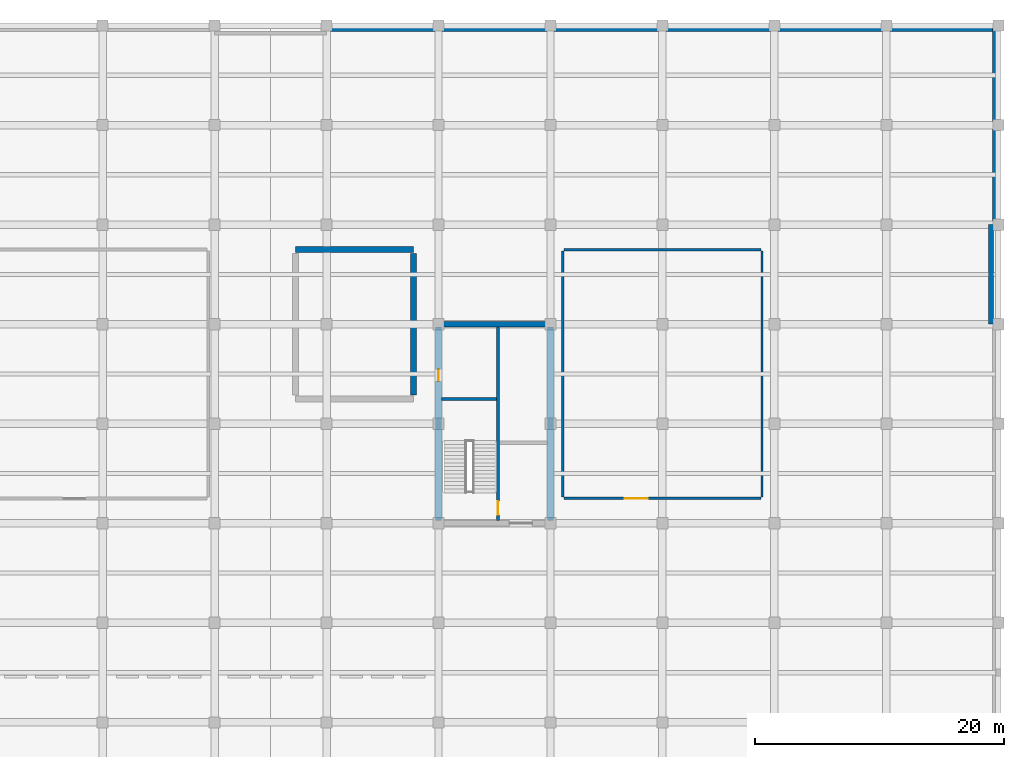
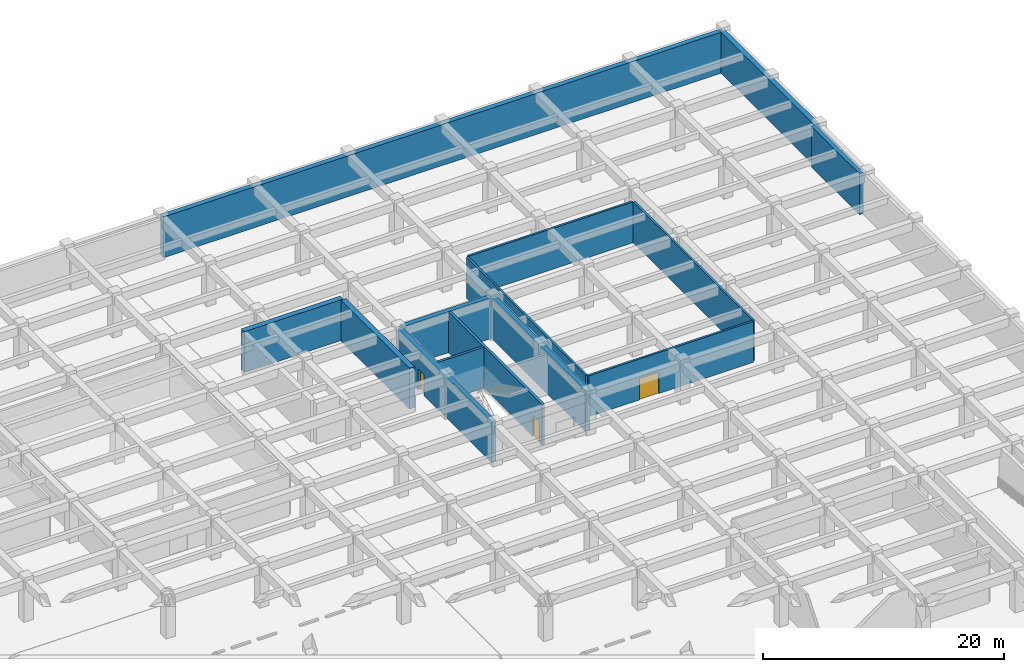
# One storey, part 18 of 26: 14 walls, 3 doors, 3 openings.
"""IFC4 building model written with IfcOpenShell, lengths in metres."""

from ifc_helpers import new_model, si_unit, direction, frame, frame_2d, origin, place, context, subcontext, project, spatial, rectangle, extrude, material, layer, layer_set, type_object, element, fill, save


model = new_model("IFC4")

# Units and contexts
model_context = context("Model", 3, precision=1e-05, world=origin(), true_north=direction((0.0, 1.0)))
body_context = subcontext(model_context, "Body", "Model", "MODEL_VIEW")
ifc_project = project(units=[si_unit("LENGTHUNIT", "METRE"), si_unit("AREAUNIT", "SQUARE_METRE"), si_unit("VOLUMEUNIT", "CUBIC_METRE"), si_unit("PLANEANGLEUNIT", "RADIAN"), si_unit("MASSUNIT", "GRAM", prefix="KILO")], contexts=[model_context])

# Site, building, storey
site_placement = place(None, origin())
site = spatial("IfcSite", under=ifc_project, at=site_placement, CompositionType="ELEMENT")
building_placement = place(site_placement, origin())
building = spatial("IfcBuilding", under=site, at=building_placement, Name="Zaverband Oceanarium and Marine Research Institute", CompositionType="ELEMENT")
storey_placement = place(building_placement, frame((0.0, 0.0, -4.5)))
storey = spatial("IfcBuildingStorey", under=building, at=storey_placement, Name="B1", CompositionType="ELEMENT", Elevation=-4.5)

# Wall
ifc_material_1 = material(Name="Concrete C50/60", Category="concrete")
ifc_layer_1 = layer(ifc_material_1, 0.449951171875, Name="Concrete C50/60")
ifc_layer_set_1 = layer_set([ifc_layer_1], Name="Concrete C50/60")
wall_type_1 = type_object("IfcWallType", Name="CW-02", PredefinedType="SHEAR", material=ifc_layer_set_1)
wall_1_placement = place(storey_placement, frame((135.22509765625, 96.0, 0.0), z_axis=(0.0, 0.0, 1.0), x_axis=(1.0, 0.0, 0.0)))
element("IfcWall", 1, at=wall_1_placement, inside=storey, type_object=wall_type_1, Name="Structural shear wall CW-02", PredefinedType="SHEAR", context=body_context, shape_type="SweptSolid", body=[
    extrude(rectangle(XDim=8.5498046875, YDim=0.449951171875, at=frame_2d((4.27490234375, 0.0))), origin(), (0.0, 0.0, 1.0), 4.14990234375),
])

# Wall, opening, door
wall_2_placement = place(storey_placement, frame((135.0, 80.22509765625, 0.0), z_axis=(0.0, 0.0, 1.0), x_axis=(0.0, 1.0, 0.0)))
wall_2 = element("IfcWall", 2, at=wall_2_placement, inside=storey, type_object=wall_type_1, Name="Structural shear wall CW-02", PredefinedType="SHEAR", context=body_context, shape_type="SweptSolid", body=[
    extrude(rectangle(XDim=15.5498046875, YDim=0.449951171875, at=frame_2d((7.77490234375, 0.0))), origin(), (0.0, 0.0, 1.0), 4.14990234375),
])
opening_1_placement = place(wall_2_placement, frame((11.199951171875, 0.0, 0.0)))
opening_1 = element("IfcOpeningElement", 3, at=opening_1_placement, cuts=wall_2, Name="Opening FD-03", PredefinedType="OPENING", context=body_context, shape_type="SweptSolid", body=[
    extrude(rectangle(XDim=0.949951171875, YDim=2.10009765625, at=frame_2d((0.47509765625, 1.050048828125))), frame((0.0, 0.23681640625, 0.0), z_axis=(0.0, -1.0, 0.0), x_axis=(1.0, 0.0, 0.0)), (0.0, 0.0, 1.0), 0.473876953125),
])
ifc_material_2 = material(Name="Steel S355", Category="steel")
door_type_1 = type_object("IfcDoorType", Name="FD-03", OperationType="NOTDEFINED", PredefinedType="DOOR", material=ifc_material_2)
door_1_placement = place(opening_1_placement, origin())
door_1 = element("IfcDoor", 4, at=door_1_placement, inside=storey, type_object=door_type_1, Name="Service riser access fire door FD-03", OperationType="SINGLE_SWING_RIGHT", OverallHeight=2.10009765625, OverallWidth=0.949951171875, PredefinedType="DOOR", context=body_context, shape_type="SweptSolid", body=[
    extrude(rectangle(XDim=0.949951171875, YDim=2.10009765625, at=frame_2d((0.47509765625, 1.050048828125))), frame((0.0, 0.02490234375, 0.0), z_axis=(0.0, -1.0, 0.0), x_axis=(1.0, 0.0, 0.0)), (0.0, 0.0, 1.0), 0.050048828125),
])
fill(opening_1, door_1)

# Wall
wall_3_placement = place(storey_placement, frame((144.0, 80.22509765625, 0.0), z_axis=(0.0, 0.0, 1.0), x_axis=(0.0, 1.0, 0.0)))
element("IfcWall", 5, at=wall_3_placement, inside=storey, type_object=wall_type_1, Name="Structural shear wall CW-02", PredefinedType="SHEAR", context=body_context, shape_type="SweptSolid", body=[
    extrude(rectangle(XDim=15.5498046875, YDim=0.449951171875, at=frame_2d((7.77490234375, 0.0))), origin(), (0.0, 0.0, 1.0), 4.14990234375),
])

# Wall, opening, door
ifc_material_3 = material(Name="Fire-rated masonry compartment wall", Category="masonry")
ifc_layer_2 = layer(ifc_material_3, 0.199951171875, Name="Fire-rated masonry compartment wall")
ifc_layer_set_2 = layer_set([ifc_layer_2], Name="Fire-rated masonry compartment wall")
wall_type_2 = type_object("IfcWallType", Name="PT-200-FR", PredefinedType="PARTITIONING", material=ifc_layer_set_2)
wall_4_placement = place(storey_placement, frame((145.10009765625, 82.0, 0.0), z_axis=(0.0, 0.0, 1.0), x_axis=(1.0, 0.0, 0.0)))
wall_4 = element("IfcWall", 6, at=wall_4_placement, inside=storey, type_object=wall_type_2, Name="Internal partition PT-200-FR", PredefinedType="PARTITIONING", context=body_context, shape_type="SweptSolid", body=[
    extrude(rectangle(XDim=15.7998046875, YDim=0.199951171875, at=frame_2d((7.89990234375, 0.0))), origin(), (0.0, 0.0, 1.0), 4.14990234375),
])
opening_2_placement = place(wall_4_placement, frame((4.882568359375, 0.0, 0.0)))
opening_2 = element("IfcOpeningElement", 7, at=opening_2_placement, cuts=wall_4, Name="Opening ID-1850x2180", PredefinedType="OPENING", context=body_context, shape_type="SweptSolid", body=[
    extrude(rectangle(XDim=1.85009765625, YDim=2.179931640625, at=frame_2d((0.925048828125, 1.08984375))), frame((0.0, 0.11181640625, 0.0), z_axis=(0.0, -1.0, 0.0), x_axis=(1.0, 0.0, 0.0)), (0.0, 0.0, 1.0), 0.223876953125),
])
door_type_2 = type_object("IfcDoorType", Name="ID-1850x2180", OperationType="DOUBLE_DOOR_SINGLE_SWING", PredefinedType="DOOR", material=ifc_material_2)
door_2_placement = place(opening_2_placement, origin())
door_2 = element("IfcDoor", 8, at=door_2_placement, inside=storey, type_object=door_type_2, Name="Life support plant double equipment door ID-1850x2180", OperationType="DOUBLE_DOOR_SINGLE_SWING", OverallHeight=2.179931640625, OverallWidth=1.85009765625, PredefinedType="DOOR", context=body_context, shape_type="SweptSolid", body=[
    extrude(rectangle(XDim=1.85009765625, YDim=2.179931640625, at=frame_2d((0.925048828125, 1.08984375))), frame((0.0, 0.02490234375, 0.0), z_axis=(0.0, -1.0, 0.0), x_axis=(1.0, 0.0, 0.0)), (0.0, 0.0, 1.0), 0.050048828125),
])
fill(opening_2, door_2)

# Walls
wall_5_placement = place(storey_placement, frame((145.10009765625, 102.0, 0.0), z_axis=(0.0, 0.0, 1.0), x_axis=(1.0, 0.0, 0.0)))
element("IfcWall", 9, at=wall_5_placement, inside=storey, type_object=wall_type_2, Name="Internal partition PT-200-FR", PredefinedType="PARTITIONING", context=body_context, shape_type="SweptSolid", body=[
    extrude(rectangle(XDim=15.7998046875, YDim=0.199951171875, at=frame_2d((7.89990234375, 0.0))), origin(), (0.0, 0.0, 1.0), 4.14990234375),
])
for number, where, z_axis, x_axis, name in (
    (10, (145.0, 82.10009765625, 0.0), (0.0, 0.0, 1.0), (0.0, 1.0, 0.0), "Internal partition PT-200-FR"),
    (11, (161.0, 82.10009765625, 0.0), (0.0, 0.0, 1.0), (0.0, 1.0, 0.0), "Internal partition PT-200-FR"),
):
    element("IfcWall", number, at=place(storey_placement, frame(where, z_axis=z_axis, x_axis=x_axis)), inside=storey, type_object=wall_type_2, Name=name, PredefinedType="PARTITIONING", context=body_context, shape_type="SweptSolid", body=[
        extrude(rectangle(XDim=19.7998046875, YDim=0.199951171875, at=frame_2d((9.89990234375, 0.0))), origin(), (0.0, 0.0, 1.0), 4.14990234375),
    ])

# Wall, opening, door
ifc_layer_3 = layer(ifc_material_1, 0.25, Name="Concrete C50/60")
ifc_layer_set_3 = layer_set([ifc_layer_3], Name="Concrete C50/60")
wall_type_3 = type_object("IfcWallType", Name="PW-CORE-250", PredefinedType="SOLIDWALL", material=ifc_layer_set_3)
wall_6_placement = place(storey_placement, frame((139.77490234375, 80.22509765625, 0.0), z_axis=(0.0, 0.0, 1.0), x_axis=(0.0, 1.0, 0.0)))
wall_6 = element("IfcWall", 12, at=wall_6_placement, inside=storey, type_object=wall_type_3, Name="Structural concrete wall PW-CORE-250", PredefinedType="SOLIDWALL", context=body_context, shape_type="SweptSolid", body=[
    extrude(rectangle(XDim=15.5498046875, YDim=0.25, at=frame_2d((7.77490234375, 0.0))), origin(), (0.0, 0.0, 1.0), 4.14990234375),
])
opening_3_placement = place(wall_6_placement, frame((0.449951171875, 0.0, 0.0)))
opening_3 = element("IfcOpeningElement", 13, at=opening_3_placement, cuts=wall_6, Name="Opening FD-01", PredefinedType="OPENING", context=body_context, shape_type="SweptSolid", body=[
    extrude(rectangle(XDim=1.10009765625, YDim=2.14990234375, at=frame_2d((0.550048828125, 1.074951171875))), frame((0.0, 0.136962890625, 0.0), z_axis=(0.0, -1.0, 0.0), x_axis=(1.0, 0.0, 0.0)), (0.0, 0.0, 1.0), 0.27392578125),
])
door_type_3 = type_object("IfcDoorType", Name="FD-01", OperationType="NOTDEFINED", PredefinedType="DOOR", material=ifc_material_2)
door_3_placement = place(opening_3_placement, origin())
door_3 = element("IfcDoor", 14, at=door_3_placement, inside=storey, type_object=door_type_3, Name="Core stair / lobby fire door FD-01", OperationType="SINGLE_SWING_RIGHT", OverallHeight=2.14990234375, OverallWidth=1.10009765625, PredefinedType="DOOR", context=body_context, shape_type="SweptSolid", body=[
    extrude(rectangle(XDim=1.10009765625, YDim=2.14990234375, at=frame_2d((0.550048828125, 1.074951171875))), frame((0.0, 0.02490234375, 0.0), z_axis=(0.0, -1.0, 0.0), x_axis=(1.0, 0.0, 0.0)), (0.0, 0.0, 1.0), 0.050048828125),
])
fill(opening_3, door_3)

# Walls
wall_7_placement = place(storey_placement, frame((135.22509765625, 89.97509765625, 0.0), z_axis=(0.0, 0.0, 1.0), x_axis=(1.0, 0.0, 0.0)))
element("IfcWall", 15, at=wall_7_placement, inside=storey, type_object=wall_type_3, Name="Structural concrete wall PW-CORE-250", PredefinedType="SOLIDWALL", context=body_context, shape_type="SweptSolid", body=[
    extrude(rectangle(XDim=4.419921875, YDim=0.25, at=frame_2d((2.2099609375, 0.0))), origin(), (0.0, 0.0, 1.0), 4.14990234375),
])
ifc_material_4 = material(Name="Concrete C45/55", Category="concrete")
ifc_layer_4 = layer(ifc_material_4, 0.47998046875, Name="Concrete C45/55")
ifc_layer_set_4 = layer_set([ifc_layer_4], Name="Concrete C45/55")
wall_type_4 = type_object("IfcWallType", Name="RW-01", PredefinedType="SHEAR", material=ifc_layer_set_4)
wall_8_placement = place(storey_placement, frame((179.75, 104.0, 0.0), z_axis=(0.0, 0.0, 1.0), x_axis=(0.0, 1.0, 0.0)))
element("IfcWall", 16, at=wall_8_placement, inside=storey, type_object=wall_type_4, Name="Basement retaining wall RW-01", PredefinedType="SHEAR", context=body_context, shape_type="SweptSolid", body=[
    extrude(rectangle(XDim=15.75, YDim=0.47998046875, at=frame_2d((7.875, 0.0))), origin(), (0.0, 0.0, 1.0), 4.14990234375),
])
wall_9_placement = place(storey_placement, frame((179.75, 119.75, 0.0), z_axis=(0.0, 0.0, 1.0), x_axis=(-1.0, 0.0, 0.0)))
element("IfcWall", 17, at=wall_9_placement, inside=storey, type_object=wall_type_4, Name="Basement retaining wall RW-01", PredefinedType="SHEAR", context=body_context, shape_type="SweptSolid", body=[
    extrude(rectangle(XDim=53.75, YDim=0.47998046875, at=frame_2d((26.875, 0.0))), origin(), (0.0, 0.0, 1.0), 4.14990234375),
])
ifc_layer_5 = layer(ifc_material_1, 0.3798828125, Name="Concrete C50/60")
ifc_layer_set_5 = layer_set([ifc_layer_5], Name="Concrete C50/60")
wall_type_5 = type_object("IfcWallType", Name="SW-02", PredefinedType="SHEAR", material=ifc_layer_set_5)
wall_10_placement = place(storey_placement, frame((179.39990234375, 96.0, 0.0), z_axis=(0.0, 0.0, 1.0), x_axis=(0.0, 1.0, 0.0)))
element("IfcWall", 18, at=wall_10_placement, inside=storey, type_object=wall_type_5, Name="Structural shear wall SW-02", PredefinedType="SHEAR", context=body_context, shape_type="SweptSolid", body=[
    extrude(rectangle(XDim=8.0, YDim=0.3798828125, at=frame_2d((4.0, 0.0))), origin(), (0.0, 0.0, 1.0), 4.14990234375),
])
ifc_layer_6 = layer(ifc_material_4, 0.5, Name="Concrete C45/55")
ifc_layer_set_6 = layer_set([ifc_layer_6], Name="Concrete C45/55")
wall_type_6 = type_object("IfcWallType", Name="TW-02", PredefinedType="SHEAR", material=ifc_layer_set_6)
wall_11_placement = place(storey_placement, frame((123.5, 102.0, 0.0), z_axis=(0.0, 0.0, 1.0), x_axis=(1.0, 0.0, 0.0)))
element("IfcWall", 19, at=wall_11_placement, inside=storey, type_object=wall_type_6, Name="Marine tank wall TW-02", PredefinedType="SHEAR", context=body_context, shape_type="SweptSolid", body=[
    extrude(rectangle(XDim=9.5, YDim=0.5, at=frame_2d((4.75, 0.0))), origin(), (0.0, 0.0, 1.0), 4.14990234375),
])
wall_12_placement = place(storey_placement, frame((133.0, 90.300048828125, 0.0), z_axis=(0.0, 0.0, 1.0), x_axis=(0.0, 1.0, 0.0)))
element("IfcWall", 20, at=wall_12_placement, inside=storey, type_object=wall_type_6, Name="Marine tank wall TW-02", PredefinedType="SHEAR", context=body_context, shape_type="SweptSolid", body=[
    extrude(rectangle(XDim=11.39990234375, YDim=0.5, at=frame_2d((5.699951171875, 0.0))), origin(), (0.0, 0.0, 1.0), 4.14990234375),
])

save(model, "model.ifc")
